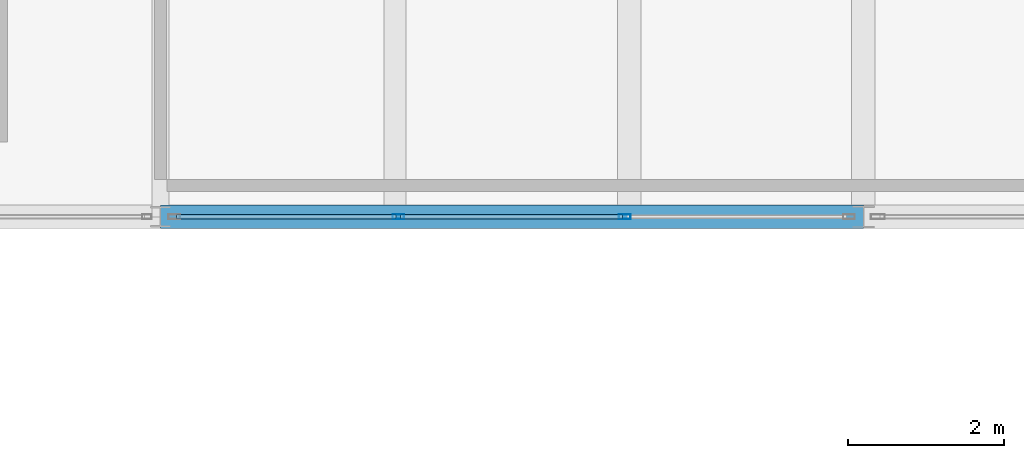
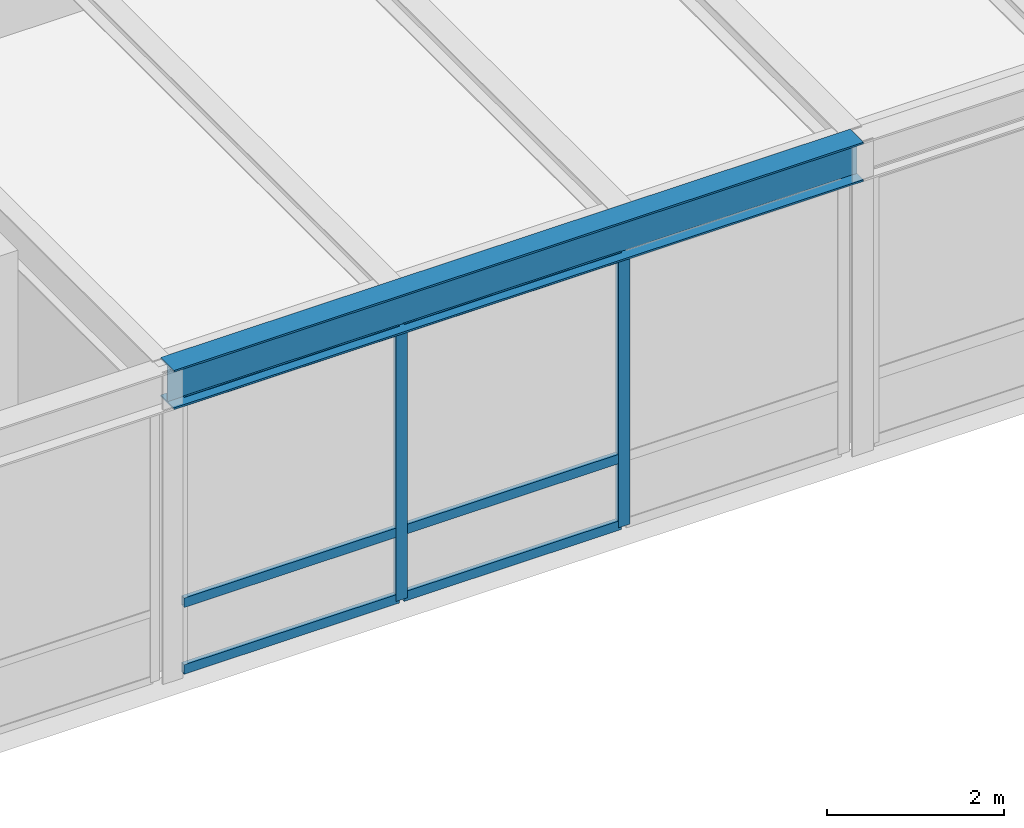
# One storey, part 21 of 67: 8 members, 1 beam, 1 element without a shape of its own.
"""IFC4 building model written with IfcOpenShell, lengths in metres."""

from ifc_helpers import new_model, si_unit, direction, frame, origin, origin_2d, place, context, subcontext, project, spatial, hollow_rectangle, i_section, extrude, material, layer, layer_set, material_profile, profile_set, type_object, element, aggregate, save


model = new_model("IFC4")

# Units and contexts
model_context = context("Model", 3, precision=1e-05, world=origin(), true_north=direction((0.0, 1.0)))
body_context = subcontext(model_context, "Body", "Model", "MODEL_VIEW")
ifc_project = project(units=[si_unit("LENGTHUNIT", "METRE"), si_unit("AREAUNIT", "SQUARE_METRE"), si_unit("VOLUMEUNIT", "CUBIC_METRE"), si_unit("PLANEANGLEUNIT", "RADIAN"), si_unit("MASSUNIT", "GRAM", prefix="KILO")], contexts=[model_context])

# Site, building, storey
site_placement = place(None, origin())
site = spatial("IfcSite", under=ifc_project, at=site_placement, CompositionType="ELEMENT")
building_placement = place(site_placement, origin())
building = spatial("IfcBuilding", under=site, at=building_placement, Name="Montelvaro Courts of Justice", CompositionType="ELEMENT")
storey_placement = place(building_placement, frame((0.0, 0.0, 18.89990234375)))
storey = spatial("IfcBuildingStorey", under=building, at=storey_placement, Name="L04", CompositionType="ELEMENT", Elevation=18.89990234375)

# Beam
ifc_material_1 = material(Name="Steel S355", Category="steel")
ifc_material_profile_1 = material_profile(ifc_material_1, i_section(OverallWidth=0.300048828125, OverallDepth=0.5400390625, WebThickness=0.012451171875, FlangeThickness=0.02392578125, at=origin_2d()), Name="HEA 550")
ifc_profile_set_1 = profile_set([ifc_material_profile_1], Name="Steel S355")
beam_type = type_object("IfcBeamType", Name="Beam_HEA550", PredefinedType="USERDEFINED", material=ifc_profile_set_1)
beam_placement = place(storey_placement, frame((108.0, 66.0, 4.030029296875), z_axis=(1.0, 0.0, 0.0), x_axis=(0.0, 1.0, 0.0)))
element("IfcBeam", 1, at=beam_placement, inside=storey, type_object=beam_type, Name="Beam B-20 L04", ObjectType="GIRDER", PredefinedType="USERDEFINED", context=body_context, shape_type="SweptSolid", body=[
    extrude(i_section(OverallWidth=0.300048828125, OverallDepth=0.5400390625, WebThickness=0.012451171875, FlangeThickness=0.02392578125, at=origin_2d()), origin(), (0.0, 0.0, 1.0), 9.0),
])

# Curtain wall, members
ifc_material_2 = material(Name="Anodised aluminium EN AW-6063", Category="aluminium")
ifc_layer = layer(ifc_material_2, 0.159912109375)
ifc_layer_set = layer_set([ifc_layer], Name="Anodised aluminium EN AW-6063")
curtain_wall_type = type_object("IfcCurtainWallType", Name="CurtainWall_18_868x418", PredefinedType="USERDEFINED", material=ifc_layer_set)
curtain_wall_placement = place(storey_placement, origin())
curtain_wall = element("IfcCurtainWall", 2, at=curtain_wall_placement, inside=storey, type_object=curtain_wall_type, Name="Curtain Wall CW-18 (L04)", ObjectType="CURTAIN WALL", PredefinedType="USERDEFINED")
ifc_material_profile_2 = material_profile(ifc_material_2, hollow_rectangle(XDim=0.06005859375, YDim=0.14990234375, WallThickness=0.00390625, at=origin_2d()), Name="ALU-M 60x150")
ifc_profile_set_2 = profile_set([ifc_material_profile_2], Name="Anodised aluminium EN AW-6063")
member_type_1 = type_object("IfcMemberType", Name="CurtainWall_Mullion_60x150", PredefinedType="MULLION", material=ifc_profile_set_2)
member_1_placement = place(storey_placement, frame((111.044921875, 66.0, 0.0), z_axis=(0.0, 0.0, 1.0), x_axis=(0.0, 1.0, 0.0)))
member_1 = element("IfcMember", 3, at=member_1_placement, type_object=member_type_1, Name="CW-18 mullion 2", PredefinedType="MULLION", context=body_context, shape_type="SweptSolid", body=[
    extrude(hollow_rectangle(XDim=0.06005859375, YDim=0.14990234375, WallThickness=0.00390625, at=origin_2d()), origin(), (0.0, 0.0, 1.0), 3.755126953125),
])
member_2_placement = place(storey_placement, frame((113.945068359375, 66.0, 0.0), z_axis=(0.0, 0.0, 1.0), x_axis=(0.0, 1.0, 0.0)))
member_2 = element("IfcMember", 4, at=member_2_placement, type_object=member_type_1, Name="CW-18 mullion 3", PredefinedType="MULLION", context=body_context, shape_type="SweptSolid", body=[
    extrude(hollow_rectangle(XDim=0.06005859375, YDim=0.14990234375, WallThickness=0.00390625, at=origin_2d()), origin(), (0.0, 0.0, 1.0), 3.755126953125),
])
ifc_material_profile_3 = material_profile(ifc_material_2, hollow_rectangle(XDim=0.06005859375, YDim=0.1298828125, WallThickness=0.00390625, at=origin_2d()), Name="ALU-T 60x130")
ifc_profile_set_3 = profile_set([ifc_material_profile_3], Name="Anodised aluminium EN AW-6063")
member_type_2 = type_object("IfcMemberType", Name="CurtainWall_Transom_60x130", PredefinedType="USERDEFINED", material=ifc_profile_set_3)
member_3_placement = place(storey_placement, frame((108.205078125, 66.0, 0.030029296875), z_axis=(1.0, 0.0, 0.0), x_axis=(0.0, 1.0, 0.0)))
member_3 = element("IfcMember", 5, at=member_3_placement, type_object=member_type_2, Name="CW-18 transom 1.1", ObjectType="TRANSOM", PredefinedType="USERDEFINED", context=body_context, shape_type="SweptSolid", body=[
    extrude(hollow_rectangle(XDim=0.06005859375, YDim=0.1298828125, WallThickness=0.00390625, at=origin_2d()), origin(), (0.0, 0.0, 1.0), 2.809814453125),
])
member_4_placement = place(storey_placement, frame((108.205078125, 66.0, 0.9501953125), z_axis=(1.0, 0.0, 0.0), x_axis=(0.0, 1.0, 0.0)))
member_4 = element("IfcMember", 6, at=member_4_placement, type_object=member_type_2, Name="CW-18 transom 1.2", ObjectType="TRANSOM", PredefinedType="USERDEFINED", context=body_context, shape_type="SweptSolid", body=[
    extrude(hollow_rectangle(XDim=0.06005859375, YDim=0.1298828125, WallThickness=0.00390625, at=origin_2d()), origin(), (0.0, 0.0, 1.0), 2.809814453125),
])
member_5_placement = place(storey_placement, frame((108.205078125, 66.0, 3.72509765625), z_axis=(1.0, 0.0, 0.0), x_axis=(0.0, 1.0, 0.0)))
member_5 = element("IfcMember", 7, at=member_5_placement, type_object=member_type_2, Name="CW-18 transom 1.3", ObjectType="TRANSOM", PredefinedType="USERDEFINED", context=body_context, shape_type="SweptSolid", body=[
    extrude(hollow_rectangle(XDim=0.06005859375, YDim=0.1298828125, WallThickness=0.00390625, at=origin_2d()), origin(), (0.0, 0.0, 1.0), 2.809814453125),
])
member_6_placement = place(storey_placement, frame((111.074951171875, 66.0, 0.030029296875), z_axis=(1.0, 0.0, 0.0), x_axis=(0.0, 1.0, 0.0)))
member_6 = element("IfcMember", 8, at=member_6_placement, type_object=member_type_2, Name="CW-18 transom 2.1", ObjectType="TRANSOM", PredefinedType="USERDEFINED", context=body_context, shape_type="SweptSolid", body=[
    extrude(hollow_rectangle(XDim=0.06005859375, YDim=0.1298828125, WallThickness=0.00390625, at=origin_2d()), origin(), (0.0, 0.0, 1.0), 2.840087890625),
])
member_7_placement = place(storey_placement, frame((111.074951171875, 66.0, 0.9501953125), z_axis=(1.0, 0.0, 0.0), x_axis=(0.0, 1.0, 0.0)))
member_7 = element("IfcMember", 9, at=member_7_placement, type_object=member_type_2, Name="CW-18 transom 2.2", ObjectType="TRANSOM", PredefinedType="USERDEFINED", context=body_context, shape_type="SweptSolid", body=[
    extrude(hollow_rectangle(XDim=0.06005859375, YDim=0.1298828125, WallThickness=0.00390625, at=origin_2d()), origin(), (0.0, 0.0, 1.0), 2.840087890625),
])
member_8_placement = place(storey_placement, frame((111.074951171875, 66.0, 3.72509765625), z_axis=(1.0, 0.0, 0.0), x_axis=(0.0, 1.0, 0.0)))
member_8 = element("IfcMember", 10, at=member_8_placement, type_object=member_type_2, Name="CW-18 transom 2.3", ObjectType="TRANSOM", PredefinedType="USERDEFINED", context=body_context, shape_type="SweptSolid", body=[
    extrude(hollow_rectangle(XDim=0.06005859375, YDim=0.1298828125, WallThickness=0.00390625, at=origin_2d()), origin(), (0.0, 0.0, 1.0), 2.840087890625),
])
aggregate(curtain_wall, [member_1, member_2, member_3, member_4, member_5, member_6, member_7, member_8])

save(model, "model.ifc")
